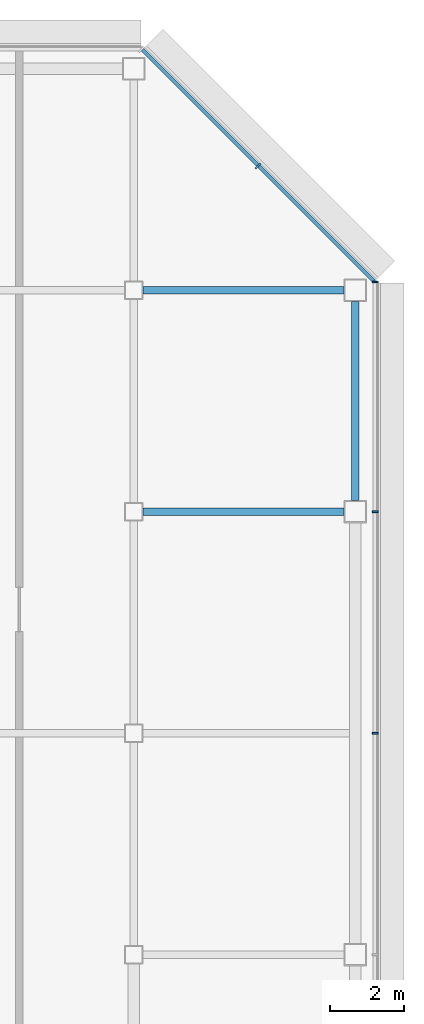
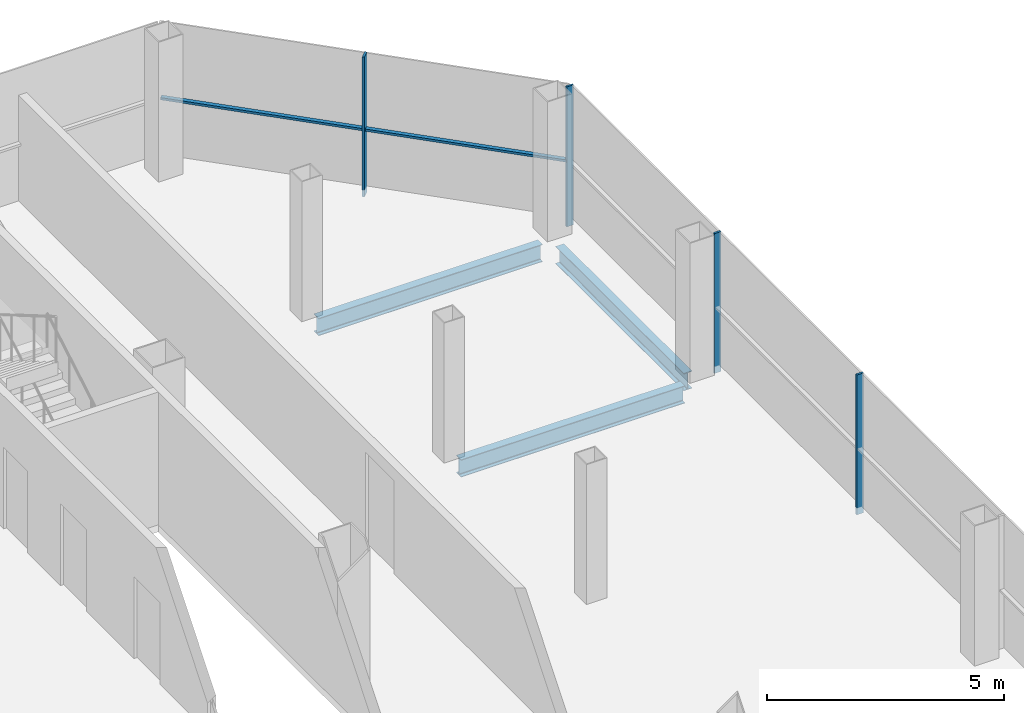
# One storey, part 19 of 28: 5 members, 3 beams, 2 elements without a shape of their own.
"""IFC4 building model written with IfcOpenShell, lengths in metres."""

from ifc_helpers import new_model, si_unit, direction, frame, origin, origin_2d, place, context, subcontext, project, spatial, rectangle, i_section, extrude, material, material_profile, profile_set, type_object, element, aggregate, save


model = new_model("IFC4")

# Units and contexts
model_context = context("Model", 3, precision=1e-05, world=origin(), true_north=direction((0.0, 1.0)))
body_context = subcontext(model_context, "Body", "Model", "MODEL_VIEW")
ifc_project = project(units=[si_unit("LENGTHUNIT", "METRE"), si_unit("AREAUNIT", "SQUARE_METRE"), si_unit("VOLUMEUNIT", "CUBIC_METRE"), si_unit("PLANEANGLEUNIT", "RADIAN"), si_unit("MASSUNIT", "GRAM", prefix="KILO")], contexts=[model_context])

# Site, building, storey
site_placement = place(None, origin())
site = spatial("IfcSite", under=ifc_project, at=site_placement, CompositionType="ELEMENT")
building_placement = place(site_placement, origin())
building = spatial("IfcBuilding", under=site, at=building_placement, Name="Sorahane Residences", CompositionType="ELEMENT")
storey_placement = place(building_placement, frame((0.0, 0.0, 250.39990234375)))
storey = spatial("IfcBuildingStorey", under=building, at=storey_placement, Name="L59", CompositionType="ELEMENT", Elevation=250.39990234375)

# Curtain wall, members
ifc_material_1 = material(Name="Dark low-e glass and black anodised aluminium", Category="aluminium")
curtain_wall_type_1 = type_object("IfcCurtainWallType", Name="Curtain wall CW-1 Typical unitised wall", PredefinedType="NOTDEFINED", material=ifc_material_1)
curtain_wall_1_placement = place(storey_placement, origin())
curtain_wall_1 = element("IfcCurtainWall", 1, at=curtain_wall_1_placement, inside=storey, type_object=curtain_wall_type_1, Name="CW-1 curtain wall L59 E1", PredefinedType="NOTDEFINED")
ifc_material_2 = material(Name="Black anodised aluminium", Category="aluminium")
ifc_material_profile_1 = material_profile(ifc_material_2, rectangle(XDim=0.159912109375, YDim=0.050048828125, at=origin_2d()), Name="Curtain wall mullion CW-1 black anodised aluminium 50x160")
ifc_profile_set_1 = profile_set([ifc_material_profile_1], Name="Black anodised aluminium")
member_type_1 = type_object("IfcMemberType", Name="Curtain wall mullion CW-1 black anodised aluminium 50x160", PredefinedType="MULLION", material=ifc_profile_set_1)
member_1_placement = place(storey_placement, frame((54.5400390625, 30.0, -0.179931640625), z_axis=(0.0, 0.0, 1.0), x_axis=(1.0, 0.0, 0.0)))
member_1 = element("IfcMember", 2, at=member_1_placement, type_object=member_type_1, Name="CW-1 mullion L59 E1.5", PredefinedType="MULLION", context=body_context, shape_type="SweptSolid", body=[
    extrude(rectangle(XDim=0.159912109375, YDim=0.050048828125, at=origin_2d()), origin(), (0.0, 0.0, 1.0), 3.60009765625),
])
member_2_placement = place(storey_placement, frame((54.5400390625, 36.0, -0.179931640625), z_axis=(0.0, 0.0, 1.0), x_axis=(1.0, 0.0, 0.0)))
member_2 = element("IfcMember", 3, at=member_2_placement, type_object=member_type_1, Name="CW-1 mullion L59 E1.6", PredefinedType="MULLION", context=body_context, shape_type="SweptSolid", body=[
    extrude(rectangle(XDim=0.159912109375, YDim=0.050048828125, at=origin_2d()), origin(), (0.0, 0.0, 1.0), 3.60009765625),
])
member_3_placement = place(storey_placement, frame((54.5400390625, 42.2236328125, -0.179931640625), z_axis=(0.0, 0.0, 1.0), x_axis=(1.0, 0.0, 0.0)))
member_3 = element("IfcMember", 4, at=member_3_placement, type_object=member_type_1, Name="CW-1 mullion L59 E1.7", PredefinedType="MULLION", context=body_context, shape_type="SweptSolid", body=[
    extrude(rectangle(XDim=0.159912109375, YDim=0.050048828125, at=origin_2d()), origin(), (0.0, 0.0, 1.0), 3.60009765625),
])
aggregate(curtain_wall_1, [member_1, member_2, member_3])

ifc_material_3 = material(Name="Dark low-e glass and black anodised aluminium", Category="aluminium")
curtain_wall_type_2 = type_object("IfcCurtainWallType", Name="Curtain wall CW-2 Chamfer unitised wall", PredefinedType="NOTDEFINED", material=ifc_material_3)
curtain_wall_2_placement = place(storey_placement, origin())
curtain_wall_2 = element("IfcCurtainWall", 5, at=curtain_wall_2_placement, inside=storey, type_object=curtain_wall_type_2, Name="CW-2 curtain wall L59 NE1", PredefinedType="NOTDEFINED")
ifc_material_4 = material(Name="Black anodised aluminium", Category="aluminium")
ifc_material_profile_2 = material_profile(ifc_material_4, rectangle(XDim=0.199951171875, YDim=0.050048828125, at=origin_2d()), Name="Curtain wall mullion CW-2 black anodised aluminium 50x200")
ifc_profile_set_2 = profile_set([ifc_material_profile_2], Name="Black anodised aluminium")
member_type_2 = type_object("IfcMemberType", Name="Curtain wall mullion CW-2 black anodised aluminium 50x200", PredefinedType="MULLION", material=ifc_profile_set_2)
member_4_placement = place(storey_placement, frame((51.36767578125, 45.36767578125, -0.179931640625), z_axis=(0.0, 0.0, 1.0), x_axis=(0.707106781187, 0.707106781187, 0.0)))
member_4 = element("IfcMember", 6, at=member_4_placement, type_object=member_type_2, Name="CW-2 mullion L59 NE1.2", PredefinedType="MULLION", context=body_context, shape_type="SweptSolid", body=[
    extrude(rectangle(XDim=0.199951171875, YDim=0.050048828125, at=origin_2d()), origin(), (0.0, 0.0, 1.0), 3.60009765625),
])
ifc_material_5 = material(Name="Black anodised aluminium", Category="aluminium")
ifc_material_profile_3 = material_profile(ifc_material_5, rectangle(XDim=0.10009765625, YDim=0.06005859375, at=origin_2d()), Name="Curtain wall transom CW-2 black anodised aluminium 60x100")
ifc_profile_set_3 = profile_set([ifc_material_profile_3], Name="Black anodised aluminium")
member_type_3 = type_object("IfcMemberType", Name="Curtain wall transom CW-2 black anodised aluminium 60x100", PredefinedType="USERDEFINED", material=ifc_profile_set_3)
member_5_placement = place(storey_placement, frame((54.51513671875, 42.234375, 1.5), z_axis=(-0.707106781187, 0.707106781187, 0.0), x_axis=(-0.707106781187, -0.707106781187, 0.0)))
member_5 = element("IfcMember", 7, at=member_5_placement, type_object=member_type_3, Name="CW-2 transom L59 NE1", ObjectType="TRANSOM", PredefinedType="USERDEFINED", context=body_context, shape_type="SweptSolid", body=[
    extrude(rectangle(XDim=0.10009765625, YDim=0.06005859375, at=origin_2d()), origin(), (0.0, 0.0, 1.0), 8.88232421875),
])
aggregate(curtain_wall_2, [member_4, member_5])

# Beams
ifc_material_6 = material(Name="Steel Q355B", Category="steel")
ifc_material_profile_4 = material_profile(ifc_material_6, i_section(OverallWidth=0.199951171875, OverallDepth=0.449951171875, WebThickness=0.009033203125, FlangeThickness=0.013916015625, FilletRadius=0.02001953125, at=origin_2d()), Name="HN 450x200x9x14")
ifc_profile_set_4 = profile_set([ifc_material_profile_4], Name="Steel Q355B")
beam_type = type_object("IfcBeamType", Name="Steel floor beam HN 450x200x9x14 Q355B", PredefinedType="BEAM", material=ifc_profile_set_4)
beam_1_placement = place(storey_placement, frame((48.25, 36.0, -0.40478515625), z_axis=(1.0, 0.0, 0.0), x_axis=(0.0, 1.0, 0.0)))
element("IfcBeam", 8, at=beam_1_placement, inside=storey, type_object=beam_type, Name="Beam L59 014", PredefinedType="BEAM", context=body_context, shape_type="SweptSolid", body=[
    extrude(i_section(OverallWidth=0.199951171875, OverallDepth=0.449951171875, WebThickness=0.009033203125, FlangeThickness=0.013916015625, FilletRadius=0.02001953125, at=origin_2d()), origin(), (0.0, 0.0, 1.0), 5.449951171875),
])
beam_2_placement = place(storey_placement, frame((54.0, 36.300048828125, -0.40478515625), z_axis=(0.0, 1.0, 0.0), x_axis=(-1.0, 0.0, 0.0)))
element("IfcBeam", 9, at=beam_2_placement, inside=storey, type_object=beam_type, Name="Beam L59 067", PredefinedType="BEAM", context=body_context, shape_type="SweptSolid", body=[
    extrude(i_section(OverallWidth=0.199951171875, OverallDepth=0.449951171875, WebThickness=0.009033203125, FlangeThickness=0.013916015625, FilletRadius=0.02001953125, at=origin_2d()), origin(), (0.0, 0.0, 1.0), 5.39990234375),
])
beam_3_placement = place(storey_placement, frame((48.25, 42.0, -0.40478515625), z_axis=(1.0, 0.0, 0.0), x_axis=(0.0, 1.0, 0.0)))
element("IfcBeam", 10, at=beam_3_placement, inside=storey, type_object=beam_type, Name="Beam L59 092", PredefinedType="BEAM", context=body_context, shape_type="SweptSolid", body=[
    extrude(i_section(OverallWidth=0.199951171875, OverallDepth=0.449951171875, WebThickness=0.009033203125, FlangeThickness=0.013916015625, FilletRadius=0.02001953125, at=origin_2d()), origin(), (0.0, 0.0, 1.0), 5.449951171875),
])

save(model, "model.ifc")
